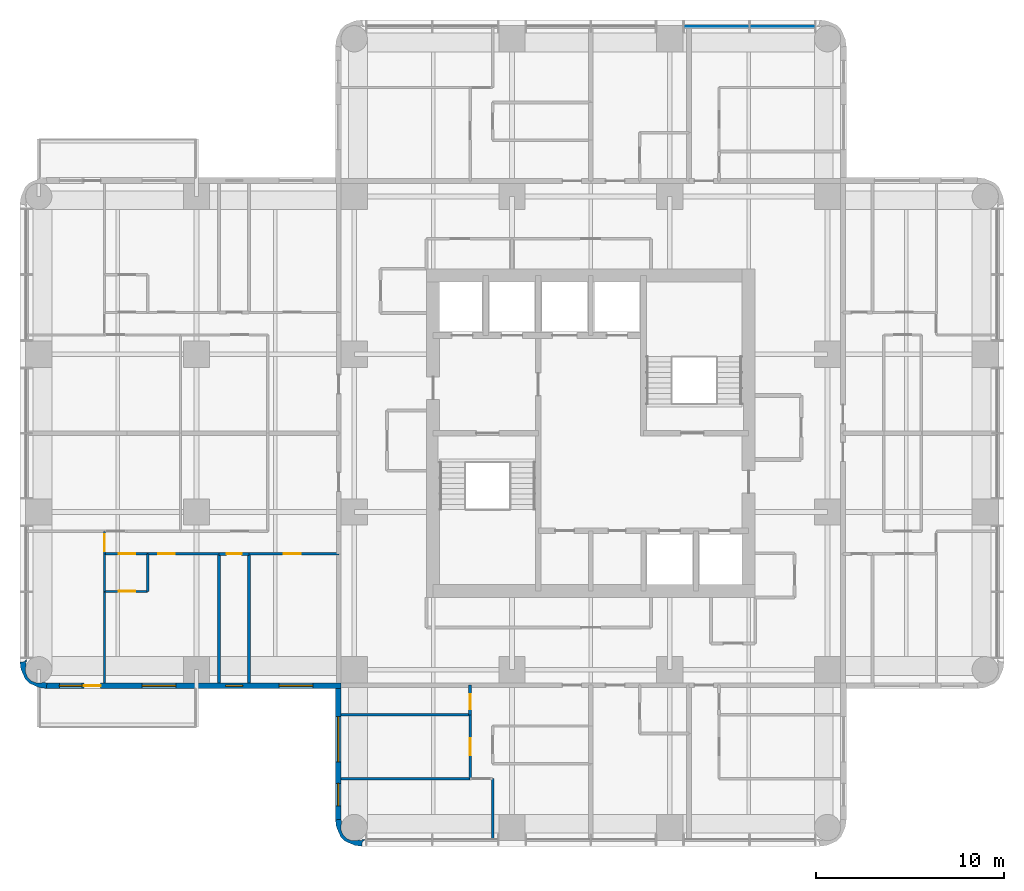
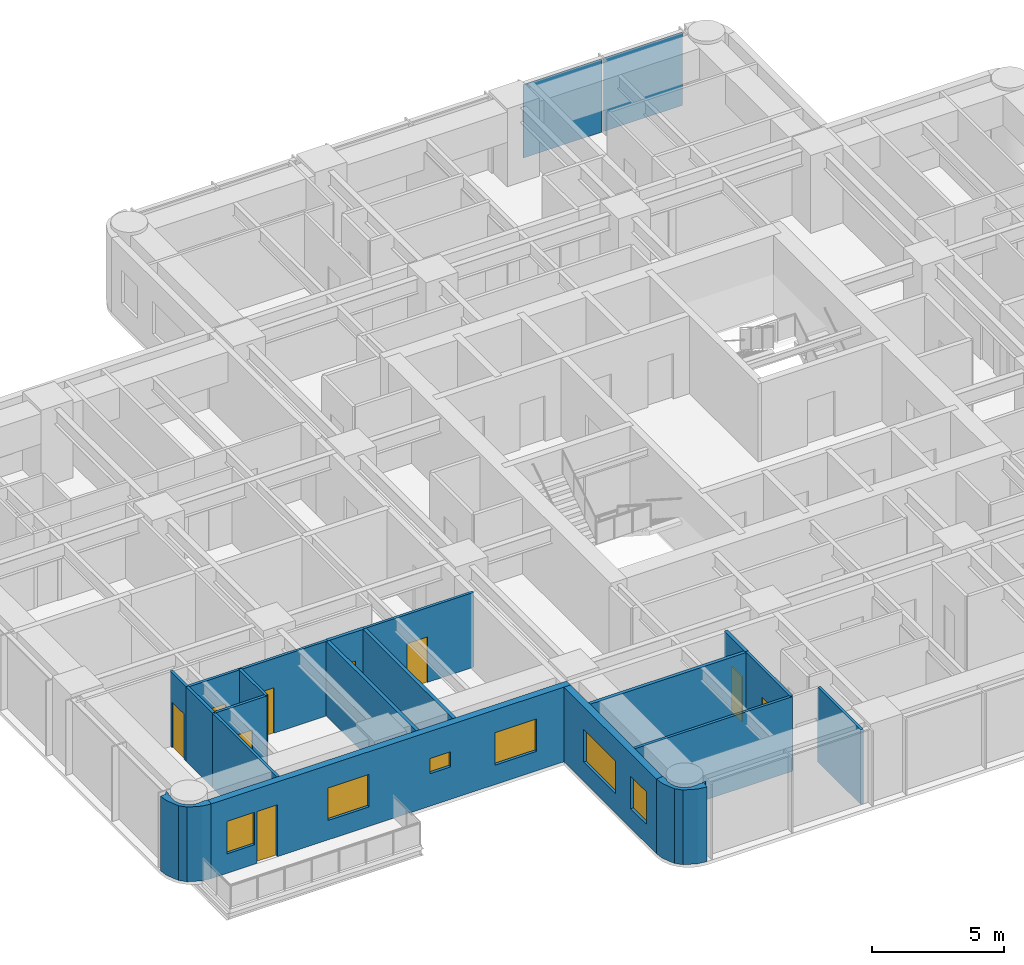
# One storey, part 4 of 11: 20 walls, 9 doors, 6 windows, 2 plates, 15 openings, 1 element without a shape of its own.
"""IFC4 building model written with IfcOpenShell, lengths in metres."""

from ifc_helpers import new_model, si_unit, direction, frame, frame_2d, origin, origin_2d, place, context, subcontext, project, spatial, polyline, rectangle, outline, extrude, material, layer, layer_set, type_object, element, fill, aggregate, save


model = new_model("IFC4")

# Units and contexts
model_context = context("Model", 3, precision=1e-05, world=origin(), true_north=direction((0.0, 1.0)))
body_context = subcontext(model_context, "Body", "Model", "MODEL_VIEW")
ifc_project = project(units=[si_unit("LENGTHUNIT", "METRE"), si_unit("AREAUNIT", "SQUARE_METRE"), si_unit("VOLUMEUNIT", "CUBIC_METRE"), si_unit("PLANEANGLEUNIT", "RADIAN"), si_unit("MASSUNIT", "GRAM", prefix="KILO")], contexts=[model_context])

# Site, building, storey
site_placement = place(None, origin())
site = spatial("IfcSite", under=ifc_project, at=site_placement, CompositionType="ELEMENT")
building_placement = place(site_placement, origin())
building = spatial("IfcBuilding", under=site, at=building_placement, Name="Torre Alcanfor", CompositionType="ELEMENT")
storey_placement = place(building_placement, frame((0.0, 0.0, 201.300048828125)))
storey = spatial("IfcBuildingStorey", under=building, at=storey_placement, Name="L52", CompositionType="ELEMENT", Elevation=201.300048828125)

# Curtain wall, plates
ifc_material_1 = material(Name="Aluminium and glass", Category="aluminium")
curtain_wall_type = type_object("IfcCurtainWallType", Name="CW-A unitised apartment glazing with vertical FIN", PredefinedType="NOTDEFINED", material=ifc_material_1)
curtain_wall_placement = place(storey_placement, origin())
curtain_wall = element("IfcCurtainWall", 1, at=curtain_wall_placement, inside=storey, type_object=curtain_wall_type, Name="Curtain wall CW-A L52 11", PredefinedType="NOTDEFINED")
ifc_material_2 = material(Name="Glass", Category="glass")
ifc_layer_1 = layer(ifc_material_2, 0.028076171875)
ifc_layer_set_1 = layer_set([ifc_layer_1], Name="CW-A clear double glazed unit")
plate_type = type_object("IfcPlateType", Name="CW-A clear double glazed unit", PredefinedType="CURTAIN_PANEL", material=ifc_layer_set_1)
plate_1_placement = place(storey_placement, frame((39.60107421875, 51.050048828125, 0.0), z_axis=(0.0, 0.0, 1.0), x_axis=(-1.0, 0.0, 0.0)))
plate_1 = element("IfcPlate", 2, at=plate_1_placement, type_object=plate_type, Name="CW-A panel 1.1.1", PredefinedType="CURTAIN_PANEL", context=body_context, shape_type="SweptSolid", body=[
    extrude(rectangle(XDim=3.444091796875, YDim=0.028076171875, at=origin_2d()), origin(), (0.0, 0.0, 1.0), 3.385009765625),
])
plate_2_placement = place(storey_placement, frame((36.092041015625, 51.050048828125, 0.0), z_axis=(0.0, 0.0, 1.0), x_axis=(-1.0, 0.0, 0.0)))
plate_2 = element("IfcPlate", 3, at=plate_2_placement, type_object=plate_type, Name="CW-A panel 1.2.1", PredefinedType="CURTAIN_PANEL", context=body_context, shape_type="SweptSolid", body=[
    extrude(rectangle(XDim=3.444091796875, YDim=0.028076171875, at=origin_2d()), origin(), (0.0, 0.0, 1.0), 3.385009765625),
])
aggregate(curtain_wall, [plate_1, plate_2])

# Wall, opening, door
ifc_material_3 = material(Name="Gypsum board on steel studs", Category="steel")
ifc_layer_2 = layer(ifc_material_3, 0.1201171875)
ifc_layer_set_2 = layer_set([ifc_layer_2], Name="Apartment partition 120")
wall_type_1 = type_object("IfcWallType", Name="Apartment partition 120", PredefinedType="PARTITIONING", material=ifc_layer_set_2)
wall_1_placement = place(storey_placement, frame((22.970947265625, 11.0, 0.0), z_axis=(0.0, 0.0, 1.0), x_axis=(0.0, 1.0, 0.0)))
wall_1 = element("IfcWall", 4, at=wall_1_placement, inside=storey, type_object=wall_type_1, Name="Partition L52-S2-LIVING / L52-S2-STUDY", PredefinedType="PARTITIONING", context=body_context, shape_type="SweptSolid", body=[
    extrude(rectangle(XDim=3.39990234375, YDim=0.1201171875, at=frame_2d((1.699951171875, 0.0))), origin(), (0.0, 0.0, 1.0), 3.449951171875),
])
opening_1_placement = place(wall_1_placement, frame((1.25, 0.0, 0.0)))
opening_1 = element("IfcOpeningElement", 5, at=opening_1_placement, cuts=wall_1, Name="Opening D-R1", PredefinedType="OPENING", context=body_context, shape_type="SweptSolid", body=[
    extrude(rectangle(XDim=0.89990234375, YDim=2.10009765625, at=frame_2d((0.449951171875, 1.050048828125))), frame((0.0, 0.070068359375, 0.0), z_axis=(0.0, -1.0, 0.0), x_axis=(1.0, 0.0, 0.0)), (0.0, 0.0, 1.0), 0.14013671875),
])
ifc_material_4 = material(Name="Timber", Category="wood")
door_type_1 = type_object("IfcDoorType", Name="Internal door 900x2100", OperationType="SINGLE_SWING_LEFT", PredefinedType="DOOR", material=ifc_material_4)
door_1_placement = place(opening_1_placement, origin())
door_1 = element("IfcDoor", 6, at=door_1_placement, inside=storey, type_object=door_type_1, Name="Door L52-S2 study", OperationType="SINGLE_SWING_LEFT", OverallHeight=2.10009765625, OverallWidth=0.89990234375, PredefinedType="DOOR", context=body_context, shape_type="SweptSolid", body=[
    extrude(rectangle(XDim=0.89990234375, YDim=2.10009765625, at=frame_2d((0.449951171875, 1.050048828125))), frame((0.0, 0.02490234375, 0.0), z_axis=(0.0, -1.0, 0.0), x_axis=(1.0, 0.0, 0.0)), (0.0, 0.0, 1.0), 0.050048828125),
])
fill(opening_1, door_1)

# Walls
wall_2_placement = place(storey_placement, frame((24.1708984375, 7.75, 0.0), z_axis=(0.0, 0.0, 1.0), x_axis=(0.0, 1.0, 0.0)))
element("IfcWall", 7, at=wall_2_placement, inside=storey, type_object=wall_type_1, Name="Partition L52-S2-LIVING / L52-S2-MASTER", PredefinedType="PARTITIONING", context=body_context, shape_type="SweptSolid", body=[
    extrude(rectangle(XDim=3.25, YDim=0.1201171875, at=frame_2d((1.625, 0.0))), origin(), (0.0, 0.0, 1.0), 3.449951171875),
])
wall_3_placement = place(storey_placement, frame((22.970947265625, 11.0, 0.0), z_axis=(0.0, 0.0, 1.0), x_axis=(-1.0, 0.0, 0.0)))
element("IfcWall", 8, at=wall_3_placement, inside=storey, type_object=wall_type_1, Name="Partition L52-S2-STUDY / L52-S2-MASTER", PredefinedType="PARTITIONING", context=body_context, shape_type="SweptSolid", body=[
    extrude(rectangle(XDim=6.870849609375, YDim=0.1201171875, at=frame_2d((3.435546875, 0.0))), origin(), (0.0, 0.0, 1.0), 3.449951171875),
])

# Wall, opening, door
wall_4_placement = place(storey_placement, frame((11.199951171875, 22.970947265625, 0.0), z_axis=(0.0, 0.0, 1.0), x_axis=(1.0, 0.0, 0.0)))
wall_4 = element("IfcWall", 9, at=wall_4_placement, inside=storey, type_object=wall_type_1, Name="Partition L52-W1-HALL / L52-W1-BED2", PredefinedType="PARTITIONING", context=body_context, shape_type="SweptSolid", body=[
    extrude(rectangle(XDim=4.775146484375, YDim=0.1201171875, at=frame_2d((2.3876953125, 0.0))), origin(), (0.0, 0.0, 1.0), 3.449951171875),
])
opening_2_placement = place(wall_4_placement, frame((1.85009765625, 0.0, 0.0)))
opening_2 = element("IfcOpeningElement", 10, at=opening_2_placement, cuts=wall_4, Name="Opening D-R1", PredefinedType="OPENING", context=body_context, shape_type="SweptSolid", body=[
    extrude(rectangle(XDim=0.89990234375, YDim=2.10009765625, at=frame_2d((0.449951171875, 1.050048828125))), frame((0.0, 0.070068359375, 0.0), z_axis=(0.0, -1.0, 0.0), x_axis=(1.0, 0.0, 0.0)), (0.0, 0.0, 1.0), 0.14013671875),
])
door_2_placement = place(opening_2_placement, frame((0.89990234375, 0.0, 0.0), z_axis=(0.0, 0.0, 1.0), x_axis=(-1.0, 0.0, 0.0)))
door_2 = element("IfcDoor", 11, at=door_2_placement, inside=storey, type_object=door_type_1, Name="Door L52-W1 bed2", OperationType="SINGLE_SWING_RIGHT", OverallHeight=2.10009765625, OverallWidth=0.89990234375, PredefinedType="DOOR", context=body_context, shape_type="SweptSolid", body=[
    extrude(rectangle(XDim=0.89990234375, YDim=2.10009765625, at=frame_2d((0.449951171875, 1.050048828125))), frame((0.0, 0.025146484375, 0.0), z_axis=(0.0, -1.0, 0.0), x_axis=(1.0, 0.0, 0.0)), (0.0, 0.0, 1.0), 0.050048828125),
])
fill(opening_2, door_2)

wall_5_placement = place(storey_placement, frame((5.800048828125, 22.970947265625, 0.0), z_axis=(0.0, 0.0, 1.0), x_axis=(1.0, 0.0, 0.0)))
wall_5 = element("IfcWall", 12, at=wall_5_placement, inside=storey, type_object=wall_type_1, Name="Partition L52-W1-HALL / L52-W1-MASTER", PredefinedType="PARTITIONING", context=body_context, shape_type="SweptSolid", body=[
    extrude(rectangle(XDim=3.800048828125, YDim=0.1201171875, at=frame_2d((1.89990234375, 0.0))), origin(), (0.0, 0.0, 1.0), 3.449951171875),
])
opening_3_placement = place(wall_5_placement, frame((0.550048828125, 0.0, 0.0)))
opening_3 = element("IfcOpeningElement", 13, at=opening_3_placement, cuts=wall_5, Name="Opening D-R1", PredefinedType="OPENING", context=body_context, shape_type="SweptSolid", body=[
    extrude(rectangle(XDim=0.89990234375, YDim=2.10009765625, at=frame_2d((0.449951171875, 1.050048828125))), frame((0.0, 0.070068359375, 0.0), z_axis=(0.0, -1.0, 0.0), x_axis=(1.0, 0.0, 0.0)), (0.0, 0.0, 1.0), 0.14013671875),
])
door_3_placement = place(opening_3_placement, frame((0.89990234375, 0.0, 0.0), z_axis=(0.0, 0.0, 1.0), x_axis=(-1.0, 0.0, 0.0)))
door_3 = element("IfcDoor", 14, at=door_3_placement, inside=storey, type_object=door_type_1, Name="Door L52-W1 master", OperationType="SINGLE_SWING_RIGHT", OverallHeight=2.10009765625, OverallWidth=0.89990234375, PredefinedType="DOOR", context=body_context, shape_type="SweptSolid", body=[
    extrude(rectangle(XDim=0.89990234375, YDim=2.10009765625, at=frame_2d((0.449951171875, 1.050048828125))), frame((0.0, 0.025146484375, 0.0), z_axis=(0.0, -1.0, 0.0), x_axis=(1.0, 0.0, 0.0)), (0.0, 0.0, 1.0), 0.050048828125),
])
fill(opening_3, door_3)

wall_6_placement = place(storey_placement, frame((3.5, 22.970947265625, 0.0), z_axis=(0.0, 0.0, 1.0), x_axis=(1.0, 0.0, 0.0)))
wall_6 = element("IfcWall", 15, at=wall_6_placement, inside=storey, type_object=wall_type_1, Name="Partition L52-W1-HALL / L52-W1-VEST", PredefinedType="PARTITIONING", context=body_context, shape_type="SweptSolid", body=[
    extrude(rectangle(XDim=2.300048828125, YDim=0.1201171875, at=frame_2d((1.14990234375, 0.0))), origin(), (0.0, 0.0, 1.0), 3.449951171875),
])
opening_4_placement = place(wall_6_placement, frame((0.75, 0.0, 0.0)))
opening_4 = element("IfcOpeningElement", 16, at=opening_4_placement, cuts=wall_6, Name="Opening D-R1", PredefinedType="OPENING", context=body_context, shape_type="SweptSolid", body=[
    extrude(rectangle(XDim=0.89990234375, YDim=2.10009765625, at=frame_2d((0.449951171875, 1.050048828125))), frame((0.0, 0.070068359375, 0.0), z_axis=(0.0, -1.0, 0.0), x_axis=(1.0, 0.0, 0.0)), (0.0, 0.0, 1.0), 0.14013671875),
])
door_4_placement = place(opening_4_placement, frame((0.89990234375, 0.0, 0.0), z_axis=(0.0, 0.0, 1.0), x_axis=(-1.0, 0.0, 0.0)))
door_4 = element("IfcDoor", 17, at=door_4_placement, inside=storey, type_object=door_type_1, Name="Door L52-W1 vest", OperationType="SINGLE_SWING_LEFT", OverallHeight=2.10009765625, OverallWidth=0.89990234375, PredefinedType="DOOR", context=body_context, shape_type="SweptSolid", body=[
    extrude(rectangle(XDim=0.89990234375, YDim=2.10009765625, at=frame_2d((0.449951171875, 1.050048828125))), frame((0.0, 0.025146484375, 0.0), z_axis=(0.0, -1.0, 0.0), x_axis=(1.0, 0.0, 0.0)), (0.0, 0.0, 1.0), 0.050048828125),
])
fill(opening_4, door_4)

wall_7_placement = place(storey_placement, frame((3.5, 24.1708984375, 0.0), z_axis=(0.0, 0.0, 1.0), x_axis=(0.0, -1.0, 0.0)))
wall_7 = element("IfcWall", 18, at=wall_7_placement, inside=storey, type_object=wall_type_1, Name="Partition L52-W1-HALL / L52-W1-WGARD", PredefinedType="PARTITIONING", context=body_context, shape_type="SweptSolid", body=[
    extrude(rectangle(XDim=1.199951171875, YDim=0.1201171875, at=frame_2d((0.60009765625, 0.0))), origin(), (0.0, 0.0, 1.0), 3.449951171875),
])
opening_5_placement = place(wall_7_placement, frame((0.15087890625, 0.0, 0.0)))
opening_5 = element("IfcOpeningElement", 19, at=opening_5_placement, cuts=wall_7, Name="Opening D-R1", PredefinedType="OPENING", context=body_context, shape_type="SweptSolid", body=[
    extrude(rectangle(XDim=0.89990234375, YDim=2.10009765625, at=frame_2d((0.449951171875, 1.050048828125))), frame((0.0, 0.070068359375, 0.0), z_axis=(0.0, -1.0, 0.0), x_axis=(1.0, 0.0, 0.0)), (0.0, 0.0, 1.0), 0.14013671875),
])
door_5_placement = place(opening_5_placement, frame((0.89990234375, 0.0, 0.0), z_axis=(0.0, 0.0, 1.0), x_axis=(-1.0, 0.0, 0.0)))
door_5 = element("IfcDoor", 20, at=door_5_placement, inside=storey, type_object=door_type_1, Name="Door L52-W1 wgard", OperationType="SINGLE_SWING_RIGHT", OverallHeight=2.10009765625, OverallWidth=0.89990234375, PredefinedType="DOOR", context=body_context, shape_type="SweptSolid", body=[
    extrude(rectangle(XDim=0.89990234375, YDim=2.10009765625, at=frame_2d((0.449951171875, 1.050048828125))), frame((0.0, 0.025146484375, 0.0), z_axis=(0.0, -1.0, 0.0), x_axis=(1.0, 0.0, 0.0)), (0.0, 0.0, 1.0), 0.050048828125),
])
fill(opening_5, door_5)

wall_8_placement = place(storey_placement, frame((3.5, 20.970947265625, 0.0), z_axis=(0.0, 0.0, 1.0), x_axis=(1.0, 0.0, 0.0)))
wall_8 = element("IfcWall", 21, at=wall_8_placement, inside=storey, type_object=wall_type_1, Name="Partition L52-W1-MASTER / L52-W1-VEST", PredefinedType="PARTITIONING", context=body_context, shape_type="SweptSolid", body=[
    extrude(rectangle(XDim=2.300048828125, YDim=0.1201171875, at=frame_2d((1.14990234375, 0.0))), origin(), (0.0, 0.0, 1.0), 3.449951171875),
])
opening_6_placement = place(wall_8_placement, frame((0.75, 0.0, 0.0)))
opening_6 = element("IfcOpeningElement", 22, at=opening_6_placement, cuts=wall_8, Name="Opening D-R1", PredefinedType="OPENING", context=body_context, shape_type="SweptSolid", body=[
    extrude(rectangle(XDim=0.89990234375, YDim=2.10009765625, at=frame_2d((0.449951171875, 1.050048828125))), frame((0.0, 0.070068359375, 0.0), z_axis=(0.0, -1.0, 0.0), x_axis=(1.0, 0.0, 0.0)), (0.0, 0.0, 1.0), 0.14013671875),
])
door_6_placement = place(opening_6_placement, origin())
door_6 = element("IfcDoor", 23, at=door_6_placement, inside=storey, type_object=door_type_1, Name="Door L52-W1 master", OperationType="SINGLE_SWING_RIGHT", OverallHeight=2.10009765625, OverallWidth=0.89990234375, PredefinedType="DOOR", context=body_context, shape_type="SweptSolid", body=[
    extrude(rectangle(XDim=0.89990234375, YDim=2.10009765625, at=frame_2d((0.449951171875, 1.050048828125))), frame((0.0, 0.02490234375, 0.0), z_axis=(0.0, -1.0, 0.0), x_axis=(1.0, 0.0, 0.0)), (0.0, 0.0, 1.0), 0.050048828125),
])
fill(opening_6, door_6)

# Walls
wall_9_placement = place(storey_placement, frame((5.800048828125, 20.970947265625, 0.0), z_axis=(0.0, 0.0, 1.0), x_axis=(0.0, 1.0, 0.0)))
element("IfcWall", 24, at=wall_9_placement, inside=storey, type_object=wall_type_1, Name="Partition L52-W1-MASTER / L52-W1-VEST", PredefinedType="PARTITIONING", context=body_context, shape_type="SweptSolid", body=[
    extrude(rectangle(XDim=2.0, YDim=0.1201171875, at=frame_2d((1.0, 0.0))), origin(), (0.0, 0.0, 1.0), 3.449951171875),
])
wall_10_placement = place(storey_placement, frame((3.5, 16.10009765625, 0.0), z_axis=(0.0, 0.0, 1.0), x_axis=(0.0, 1.0, 0.0)))
element("IfcWall", 25, at=wall_10_placement, inside=storey, type_object=wall_type_1, Name="Partition L52-W1-MASTER / L52-W1-WGARD", PredefinedType="PARTITIONING", context=body_context, shape_type="SweptSolid", body=[
    extrude(rectangle(XDim=4.870849609375, YDim=0.1201171875, at=frame_2d((2.435546875, 0.0))), origin(), (0.0, 0.0, 1.0), 3.449951171875),
])
wall_11_placement = place(storey_placement, frame((3.5, 22.970947265625, 0.0), z_axis=(0.0, 0.0, 1.0), x_axis=(0.0, -1.0, 0.0)))
element("IfcWall", 26, at=wall_11_placement, inside=storey, type_object=wall_type_1, Name="Partition L52-W1-VEST / L52-W1-WGARD", PredefinedType="PARTITIONING", context=body_context, shape_type="SweptSolid", body=[
    extrude(rectangle(XDim=2.0, YDim=0.1201171875, at=frame_2d((1.0, 0.0))), origin(), (0.0, 0.0, 1.0), 3.449951171875),
])

# Wall, openings, door, windows
ifc_material_5 = material(Name="Limestone cladding", Category="masonry")
ifc_layer_3 = layer(ifc_material_5, 0.0400390625, Name="Facing")
ifc_material_6 = material(Name="Ventilated air cavity")
ifc_layer_4 = layer(ifc_material_6, 0.02001953125, ventilated=True, Name="Ventilated joint")
ifc_material_7 = material(Name="Mineral wool insulation", Category="insulation")
ifc_layer_5 = layer(ifc_material_7, 0.10009765625, Name="Insulation")
ifc_material_8 = material(Name="Concrete f'c 35 MPa", Category="concrete")
ifc_layer_6 = layer(ifc_material_8, 0.139892578125, Name="Backing")
ifc_layer_set_3 = layer_set([ifc_layer_3, ifc_layer_4, ifc_layer_5, ifc_layer_6], Name="External wall stone-clad 300")
wall_type_2 = type_object("IfcWallType", Name="External wall stone-clad 300", PredefinedType="SOLIDWALL", material=ifc_layer_set_3)
wall_12_placement = place(storey_placement, frame((0.39990234375, 15.949951171875, 0.0), z_axis=(0.0, 0.0, 1.0), x_axis=(1.0, 0.0, 0.0)))
wall_12 = element("IfcWall", 27, at=wall_12_placement, inside=storey, type_object=wall_type_2, Name="External wall L52 3", PredefinedType="SOLIDWALL", context=body_context, shape_type="SweptSolid", body=[
    extrude(rectangle(XDim=15.7001953125, YDim=0.300048828125, at=frame_2d((7.85009765625, 0.0))), origin(), (0.0, 0.0, 1.0), 3.449951171875),
])
opening_7_placement = place(wall_12_placement, frame((12.39990234375, 0.0, 0.89990234375)))
opening_7 = element("IfcOpeningElement", 28, at=opening_7_placement, cuts=wall_12, Name="Opening W2", PredefinedType="OPENING", context=body_context, shape_type="SweptSolid", body=[
    extrude(rectangle(XDim=1.800048828125, YDim=1.5, at=frame_2d((0.89990234375, 0.75))), frame((0.0, 0.159912109375, 0.0), z_axis=(0.0, -1.0, 0.0), x_axis=(1.0, 0.0, 0.0)), (0.0, 0.0, 1.0), 0.320068359375),
])
opening_8_placement = place(wall_12_placement, frame((9.550048828125, 0.0, 1.5)))
opening_8 = element("IfcOpeningElement", 29, at=opening_8_placement, cuts=wall_12, Name="Opening W3", PredefinedType="OPENING", context=body_context, shape_type="SweptSolid", body=[
    extrude(rectangle(XDim=0.89990234375, YDim=0.699951171875, at=frame_2d((0.449951171875, 0.35009765625))), frame((0.0, 0.159912109375, 0.0), z_axis=(0.0, -1.0, 0.0), x_axis=(1.0, 0.0, 0.0)), (0.0, 0.0, 1.0), 0.320068359375),
])
opening_9_placement = place(wall_12_placement, frame((5.10009765625, 0.0, 0.89990234375)))
opening_9 = element("IfcOpeningElement", 30, at=opening_9_placement, cuts=wall_12, Name="Opening W2", PredefinedType="OPENING", context=body_context, shape_type="SweptSolid", body=[
    extrude(rectangle(XDim=1.800048828125, YDim=1.5, at=frame_2d((0.89990234375, 0.75))), frame((0.0, 0.159912109375, 0.0), z_axis=(0.0, -1.0, 0.0), x_axis=(1.0, 0.0, 0.0)), (0.0, 0.0, 1.0), 0.320068359375),
])
opening_10_placement = place(wall_12_placement, frame((2.0, 0.0, 0.0)))
opening_10 = element("IfcOpeningElement", 31, at=opening_10_placement, cuts=wall_12, Name="Opening D-B1", PredefinedType="OPENING", context=body_context, shape_type="SweptSolid", body=[
    extrude(rectangle(XDim=0.89990234375, YDim=2.39990234375, at=frame_2d((0.449951171875, 1.199951171875))), frame((0.0, 0.159912109375, 0.0), z_axis=(0.0, -1.0, 0.0), x_axis=(1.0, 0.0, 0.0)), (0.0, 0.0, 1.0), 0.320068359375),
])
opening_11_placement = place(wall_12_placement, frame((0.699951171875, 0.0, 0.89990234375)))
opening_11 = element("IfcOpeningElement", 32, at=opening_11_placement, cuts=wall_12, Name="Opening W4", PredefinedType="OPENING", context=body_context, shape_type="SweptSolid", body=[
    extrude(rectangle(XDim=1.199951171875, YDim=1.5, at=frame_2d((0.60009765625, 0.75))), frame((0.0, 0.159912109375, 0.0), z_axis=(0.0, -1.0, 0.0), x_axis=(1.0, 0.0, 0.0)), (0.0, 0.0, 1.0), 0.320068359375),
])
ifc_material_9 = material(Name="Aluminium and glass", Category="aluminium")
door_type_2 = type_object("IfcDoorType", Name="Balcony door glazed 900x2400", OperationType="SINGLE_SWING_LEFT", PredefinedType="DOOR", material=ifc_material_9)
door_7_placement = place(opening_10_placement, origin())
door_7 = element("IfcDoor", 33, at=door_7_placement, inside=storey, type_object=door_type_2, Name="Balcony door L52-W1", OperationType="SINGLE_SWING_RIGHT", OverallHeight=2.39990234375, OverallWidth=0.89990234375, PredefinedType="DOOR", context=body_context, shape_type="SweptSolid", body=[
    extrude(rectangle(XDim=0.89990234375, YDim=2.39990234375, at=frame_2d((0.449951171875, 1.199951171875))), frame((0.0, 0.02490234375, 0.0), z_axis=(0.0, -1.0, 0.0), x_axis=(1.0, 0.0, 0.0)), (0.0, 0.0, 1.0), 0.050048828125),
])
fill(opening_10, door_7)
ifc_material_10 = material(Name="Aluminium frame with clear double glazing", Category="aluminium")
window_type_1 = type_object("IfcWindowType", Name="Window bathroom 900x700", PartitioningType="SINGLE_PANEL", PredefinedType="WINDOW", material=ifc_material_10)
window_1_placement = place(opening_8_placement, origin())
window_1 = element("IfcWindow", 34, at=window_1_placement, inside=storey, type_object=window_type_1, Name="Window W3 L52-W1", OverallHeight=0.699951171875, OverallWidth=0.89990234375, PartitioningType="SINGLE_PANEL", PredefinedType="WINDOW", context=body_context, shape_type="SweptSolid", body=[
    extrude(rectangle(XDim=0.89990234375, YDim=0.699951171875, at=frame_2d((0.449951171875, 0.35009765625))), frame((0.0, 0.030029296875, 0.0), z_axis=(0.0, -1.0, 0.0), x_axis=(1.0, 0.0, 0.0)), (0.0, 0.0, 1.0), 0.06005859375),
])
fill(opening_8, window_1)
ifc_material_11 = material(Name="Aluminium frame with clear double glazing", Category="aluminium")
window_type_2 = type_object("IfcWindowType", Name="Window bedroom 1200x1500", PartitioningType="SINGLE_PANEL", PredefinedType="WINDOW", material=ifc_material_11)
window_2_placement = place(opening_11_placement, origin())
window_2 = element("IfcWindow", 35, at=window_2_placement, inside=storey, type_object=window_type_2, Name="Window W4 L52-W1", OverallHeight=1.5, OverallWidth=1.199951171875, PartitioningType="SINGLE_PANEL", PredefinedType="WINDOW", context=body_context, shape_type="SweptSolid", body=[
    extrude(rectangle(XDim=1.199951171875, YDim=1.5, at=frame_2d((0.60009765625, 0.75))), frame((0.0, 0.030029296875, 0.0), z_axis=(0.0, -1.0, 0.0), x_axis=(1.0, 0.0, 0.0)), (0.0, 0.0, 1.0), 0.06005859375),
])
fill(opening_11, window_2)
ifc_material_12 = material(Name="Aluminium frame with clear double glazing", Category="aluminium")
window_type_3 = type_object("IfcWindowType", Name="Window bedroom 1800x1500", PartitioningType="SINGLE_PANEL", PredefinedType="WINDOW", material=ifc_material_12)
window_3_placement = place(opening_7_placement, origin())
window_3 = element("IfcWindow", 36, at=window_3_placement, inside=storey, type_object=window_type_3, Name="Window W2 L52-W1", OverallHeight=1.5, OverallWidth=1.800048828125, PartitioningType="SINGLE_PANEL", PredefinedType="WINDOW", context=body_context, shape_type="SweptSolid", body=[
    extrude(rectangle(XDim=1.800048828125, YDim=1.5, at=frame_2d((0.89990234375, 0.75))), frame((0.0, 0.030029296875, 0.0), z_axis=(0.0, -1.0, 0.0), x_axis=(1.0, 0.0, 0.0)), (0.0, 0.0, 1.0), 0.06005859375),
])
fill(opening_7, window_3)
window_4_placement = place(opening_9_placement, origin())
window_4 = element("IfcWindow", 37, at=window_4_placement, inside=storey, type_object=window_type_3, Name="Window W2 L52-W1", OverallHeight=1.5, OverallWidth=1.800048828125, PartitioningType="SINGLE_PANEL", PredefinedType="WINDOW", context=body_context, shape_type="SweptSolid", body=[
    extrude(rectangle(XDim=1.800048828125, YDim=1.5, at=frame_2d((0.89990234375, 0.75))), frame((0.0, 0.030029296875, 0.0), z_axis=(0.0, -1.0, 0.0), x_axis=(1.0, 0.0, 0.0)), (0.0, 0.0, 1.0), 0.06005859375),
])
fill(opening_9, window_4)

# Wall, openings, windows
wall_13_placement = place(storey_placement, frame((15.949951171875, 15.800048828125, 0.0), z_axis=(0.0, 0.0, 1.0), x_axis=(0.0, -1.0, 0.0)))
wall_13 = element("IfcWall", 38, at=wall_13_placement, inside=storey, type_object=wall_type_2, Name="External wall L52 4", PredefinedType="SOLIDWALL", context=body_context, shape_type="SweptSolid", body=[
    extrude(rectangle(XDim=7.0, YDim=0.300048828125, at=frame_2d((3.5, 0.0))), origin(), (0.0, 0.0, 1.0), 3.449951171875),
])
opening_12_placement = place(wall_13_placement, frame((1.5, 0.0, 0.89990234375)))
opening_12 = element("IfcOpeningElement", 39, at=opening_12_placement, cuts=wall_13, Name="Opening W1", PredefinedType="OPENING", context=body_context, shape_type="SweptSolid", body=[
    extrude(rectangle(XDim=2.39990234375, YDim=1.5, at=frame_2d((1.199951171875, 0.75))), frame((0.0, 0.159912109375, 0.0), z_axis=(0.0, -1.0, 0.0), x_axis=(1.0, 0.0, 0.0)), (0.0, 0.0, 1.0), 0.320068359375),
])
opening_13_placement = place(wall_13_placement, frame((5.050048828125, 0.0, 0.89990234375)))
opening_13 = element("IfcOpeningElement", 40, at=opening_13_placement, cuts=wall_13, Name="Opening W4", PredefinedType="OPENING", context=body_context, shape_type="SweptSolid", body=[
    extrude(rectangle(XDim=1.199951171875, YDim=1.5, at=frame_2d((0.60009765625, 0.75))), frame((0.0, 0.159912109375, 0.0), z_axis=(0.0, -1.0, 0.0), x_axis=(1.0, 0.0, 0.0)), (0.0, 0.0, 1.0), 0.320068359375),
])
window_5_placement = place(opening_13_placement, origin())
window_5 = element("IfcWindow", 41, at=window_5_placement, inside=storey, type_object=window_type_2, Name="Window W4 L52-S2", OverallHeight=1.5, OverallWidth=1.199951171875, PartitioningType="SINGLE_PANEL", PredefinedType="WINDOW", context=body_context, shape_type="SweptSolid", body=[
    extrude(rectangle(XDim=1.199951171875, YDim=1.5, at=frame_2d((0.60009765625, 0.75))), frame((0.0, 0.030029296875, 0.0), z_axis=(0.0, -1.0, 0.0), x_axis=(1.0, 0.0, 0.0)), (0.0, 0.0, 1.0), 0.06005859375),
])
fill(opening_13, window_5)
ifc_material_13 = material(Name="Aluminium frame with clear double glazing", Category="aluminium")
window_type_4 = type_object("IfcWindowType", Name="Window bedroom 2400x1500", PartitioningType="SINGLE_PANEL", PredefinedType="WINDOW", material=ifc_material_13)
window_6_placement = place(opening_12_placement, origin())
window_6 = element("IfcWindow", 42, at=window_6_placement, inside=storey, type_object=window_type_4, Name="Window W1 L52-S2", OverallHeight=1.5, OverallWidth=2.39990234375, PartitioningType="SINGLE_PANEL", PredefinedType="WINDOW", context=body_context, shape_type="SweptSolid", body=[
    extrude(rectangle(XDim=2.39990234375, YDim=1.5, at=frame_2d((1.199951171875, 0.75))), frame((0.0, 0.030029296875, 0.0), z_axis=(0.0, -1.0, 0.0), x_axis=(1.0, 0.0, 0.0)), (0.0, 0.0, 1.0), 0.06005859375),
])
fill(opening_12, window_6)

# Walls
ifc_layer_7 = layer(ifc_material_5, 0.0400390625, Name="Facing")
ifc_layer_8 = layer(ifc_material_6, 0.02001953125, ventilated=True, Name="Ventilated joint")
ifc_layer_9 = layer(ifc_material_7, 0.10009765625, Name="Insulation")
ifc_layer_10 = layer(ifc_material_8, 0.139892578125, Name="Backing")
ifc_layer_set_4 = layer_set([ifc_layer_7, ifc_layer_8, ifc_layer_9, ifc_layer_10], Name="Rounded corner pier stone-clad 300")
wall_type_3 = type_object("IfcWallType", Name="Rounded corner pier stone-clad 300", PredefinedType="SOLIDWALL", material=ifc_layer_set_4)
wall_14_placement = place(storey_placement, frame((-0.58815184, 17.312325495, 0.0), z_axis=(0.0, 0.0, 1.0), x_axis=(-0.898030234854, -0.439933741929, 0.0)))
element("IfcWall", 43, at=wall_14_placement, inside=storey, type_object=wall_type_3, Name="Corner pier L52 14", PredefinedType="SOLIDWALL", context=body_context, shape_type="SweptSolid", body=[
    extrude(outline(polyline([(-0.22200099779214466, 1.7927485446039917), (-0.3895203988851006, 1.5406953482066268), (-0.3717615001977944, 1.5319954866108696), (-0.1946893371505769, 1.4145296087243977), (-0.1196378565013686, 1.4095707271395082), (0.13074069042336733, 1.2869134192092004), (0.31532782000916126, 1.0776826467218847), (0.4055826710323692, 0.8140749979758074), (0.38797260783771476, 0.5356152877148042), (0.26531529990740693, 0.28523674079006817), (0.2089410932617622, 0.23564484500123395), (0.1476439801012907, 0.052805298357783616), (0.1048910758540722, 0.07374940960682917), (0.03174779503048235, -0.07555688676422617), (0.13758283616273645, -0.03932073839803114), (0.18192415361672865, -0.0004176855725517292), (0.4192893563182328, -0.08027036234769044), (0.5359265089611867, 0.2660343125058281), (0.55884082549336, 0.63079452952945), (0.5546362328412097, 0.6510690852705474), (0.5662389797265355, 0.8356887018617073), (0.45562482097298596, 1.1592927954286232), (0.3331931039366845, 1.297838781078767), (0.32408874086174466, 1.3164357373584665), (0.08241545456328281, 1.5906055834666009), (-0.22200099779214466, 1.7927485446039917)])), origin(), (0.0, 0.0, 1.0), 3.449951171875),
])
wall_15_placement = place(storey_placement, frame((16.075788181, 8.689684728, 0.0), z_axis=(0.0, 0.0, 1.0), x_axis=(-0.439933741929, -0.898030234854, 0.0)))
element("IfcWall", 44, at=wall_15_placement, inside=storey, type_object=wall_type_3, Name="Corner pier L52 15", PredefinedType="SOLIDWALL", context=body_context, shape_type="SweptSolid", body=[
    extrude(outline(polyline([(0.6637063463257242, 1.5769511452868783), (0.42612189796141386, 1.4969910628130267), (0.381999826170228, 1.536001521337219), (0.2761647850379738, 1.5722376697034142), (0.3493080658615637, 1.4229313733323588), (0.391841724445976, 1.4437680788826912), (0.45335808326925375, 1.261035937937954), (0.5097322899148984, 1.2114440421491197), (0.6323895978452062, 0.9610654952243838), (0.6499996610398608, 0.6826057849633805), (0.5595255643538466, 0.4188907305185901), (0.37515768043085884, 0.20976736372998736), (0.1247791335061229, 0.08711005579967954), (0.04972765285691469, 0.0821511742147902), (-0.1273445101903028, -0.035314703671681595), (-0.14532265454041515, -0.04412197096615204), (0.02219674655254064, -0.2961751673635169), (0.3266131989079681, -0.09403220622612604), (0.56828648520643, 0.18013763988200826), (0.5776100939441761, 0.19884200186042086), (0.6998225653176713, 0.33728058181185155), (0.810655969734027, 0.6609920810774806), (0.7990532228487013, 0.8456116976686404), (0.8030385698380452, 0.8657788477110249), (0.7801242533058719, 1.2305390647346468), (0.6637063463257242, 1.5769511452868783)])), origin(), (0.0, 0.0, 1.0), 3.449951171875),
])

# Wall, opening, door
ifc_material_14 = material(Name="Cement board on steel studs", Category="steel")
ifc_layer_11 = layer(ifc_material_14, 0.14990234375)
ifc_layer_set_5 = layer_set([ifc_layer_11], Name="Wet area partition 150")
wall_type_4 = type_object("IfcWallType", Name="Wet area partition 150", PredefinedType="PARTITIONING", material=ifc_layer_set_5)
wall_16_placement = place(storey_placement, frame((22.970947265625, 14.39990234375, 0.0), z_axis=(0.0, 0.0, 1.0), x_axis=(0.0, 1.0, 0.0)))
wall_16 = element("IfcWall", 45, at=wall_16_placement, inside=storey, type_object=wall_type_4, Name="Partition L52-S2-LIVING / L52-S2-BATH", PredefinedType="PARTITIONING", context=body_context, shape_type="SweptSolid", body=[
    extrude(rectangle(XDim=1.5751953125, YDim=0.14990234375, at=frame_2d((0.78759765625, 0.0))), origin(), (0.0, 0.0, 1.0), 3.449951171875),
])
opening_14_placement = place(wall_16_placement, frame((0.300048828125, 0.0, 0.0)))
opening_14 = element("IfcOpeningElement", 46, at=opening_14_placement, cuts=wall_16, Name="Opening D-R2", PredefinedType="OPENING", context=body_context, shape_type="SweptSolid", body=[
    extrude(rectangle(XDim=0.800048828125, YDim=2.10009765625, at=frame_2d((0.39990234375, 1.050048828125))), frame((0.0, 0.0849609375, 0.0), z_axis=(0.0, -1.0, 0.0), x_axis=(1.0, 0.0, 0.0)), (0.0, 0.0, 1.0), 0.169921875),
])
ifc_material_15 = material(Name="Timber", Category="wood")
door_type_3 = type_object("IfcDoorType", Name="Bathroom door 800x2100", OperationType="SINGLE_SWING_LEFT", PredefinedType="DOOR", material=ifc_material_15)
door_8_placement = place(opening_14_placement, origin())
door_8 = element("IfcDoor", 47, at=door_8_placement, inside=storey, type_object=door_type_3, Name="Door L52-S2 bath", OperationType="SINGLE_SWING_LEFT", OverallHeight=2.10009765625, OverallWidth=0.800048828125, PredefinedType="DOOR", context=body_context, shape_type="SweptSolid", body=[
    extrude(rectangle(XDim=0.800048828125, YDim=2.10009765625, at=frame_2d((0.39990234375, 1.050048828125))), frame((0.0, 0.02490234375, 0.0), z_axis=(0.0, -1.0, 0.0), x_axis=(1.0, 0.0, 0.0)), (0.0, 0.0, 1.0), 0.050048828125),
])
fill(opening_14, door_8)

# Wall
wall_17_placement = place(storey_placement, frame((22.970947265625, 14.39990234375, 0.0), z_axis=(0.0, 0.0, 1.0), x_axis=(-1.0, 0.0, 0.0)))
element("IfcWall", 48, at=wall_17_placement, inside=storey, type_object=wall_type_4, Name="Partition L52-S2-BATH / L52-S2-STUDY", PredefinedType="PARTITIONING", context=body_context, shape_type="SweptSolid", body=[
    extrude(rectangle(XDim=6.870849609375, YDim=0.14990234375, at=frame_2d((3.435546875, 0.0))), origin(), (0.0, 0.0, 1.0), 3.449951171875),
])

# Wall, opening, door
wall_18_placement = place(storey_placement, frame((9.60009765625, 22.970947265625, 0.0), z_axis=(0.0, 0.0, 1.0), x_axis=(1.0, 0.0, 0.0)))
wall_18 = element("IfcWall", 49, at=wall_18_placement, inside=storey, type_object=wall_type_4, Name="Partition L52-W1-HALL / L52-W1-BATH1", PredefinedType="PARTITIONING", context=body_context, shape_type="SweptSolid", body=[
    extrude(rectangle(XDim=1.599853515625, YDim=0.14990234375, at=frame_2d((0.7998046875, 0.0))), origin(), (0.0, 0.0, 1.0), 3.449951171875),
])
opening_15_placement = place(wall_18_placement, frame((0.39990234375, 0.0, 0.0)))
opening_15 = element("IfcOpeningElement", 50, at=opening_15_placement, cuts=wall_18, Name="Opening D-R2", PredefinedType="OPENING", context=body_context, shape_type="SweptSolid", body=[
    extrude(rectangle(XDim=0.800048828125, YDim=2.10009765625, at=frame_2d((0.39990234375, 1.050048828125))), frame((0.0, 0.0849609375, 0.0), z_axis=(0.0, -1.0, 0.0), x_axis=(1.0, 0.0, 0.0)), (0.0, 0.0, 1.0), 0.169921875),
])
door_9_placement = place(opening_15_placement, frame((0.800048828125, 0.0, 0.0), z_axis=(0.0, 0.0, 1.0), x_axis=(-1.0, 0.0, 0.0)))
door_9 = element("IfcDoor", 51, at=door_9_placement, inside=storey, type_object=door_type_3, Name="Door L52-W1 bath1", OperationType="SINGLE_SWING_RIGHT", OverallHeight=2.10009765625, OverallWidth=0.800048828125, PredefinedType="DOOR", context=body_context, shape_type="SweptSolid", body=[
    extrude(rectangle(XDim=0.800048828125, YDim=2.10009765625, at=frame_2d((0.400146484375, 1.050048828125))), frame((0.0, 0.025146484375, 0.0), z_axis=(0.0, -1.0, 0.0), x_axis=(1.0, 0.0, 0.0)), (0.0, 0.0, 1.0), 0.050048828125),
])
fill(opening_15, door_9)

# Walls
for number, where, z_axis, x_axis, name in (
    (52, (11.199951171875, 22.970947265625, 0.0), (0.0, 0.0, 1.0), (0.0, -1.0, 0.0), "Partition L52-W1-BED2 / L52-W1-BATH1"),
    (53, (9.60009765625, 22.970947265625, 0.0), (0.0, 0.0, 1.0), (0.0, -1.0, 0.0), "Partition L52-W1-BATH1 / L52-W1-MASTER"),
):
    element("IfcWall", number, at=place(storey_placement, frame(where, z_axis=z_axis, x_axis=x_axis)), inside=storey, type_object=wall_type_4, Name=name, PredefinedType="PARTITIONING", context=body_context, shape_type="SweptSolid", body=[
        extrude(rectangle(XDim=6.870849609375, YDim=0.14990234375, at=frame_2d((3.435546875, 0.0))), origin(), (0.0, 0.0, 1.0), 3.449951171875),
    ])

save(model, "model.ifc")
